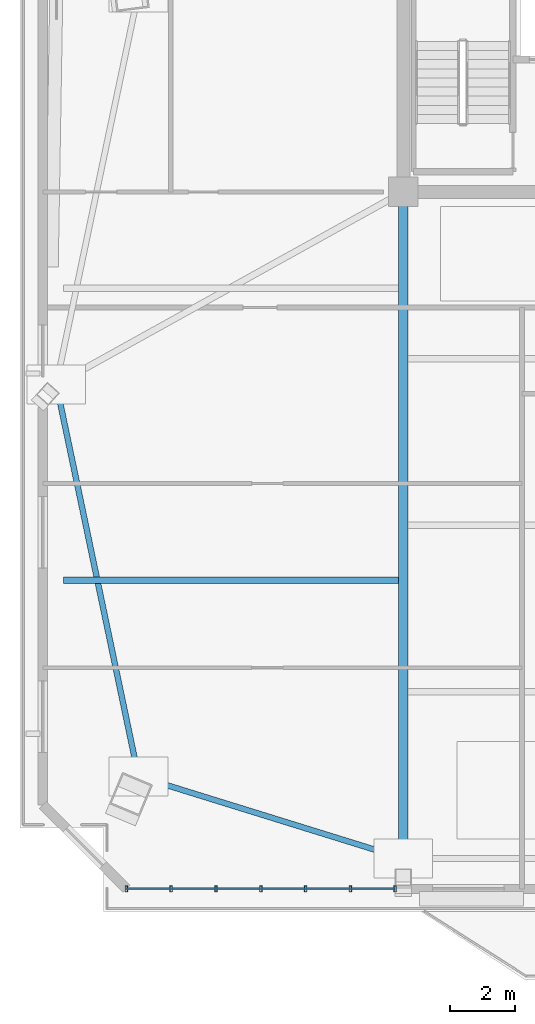
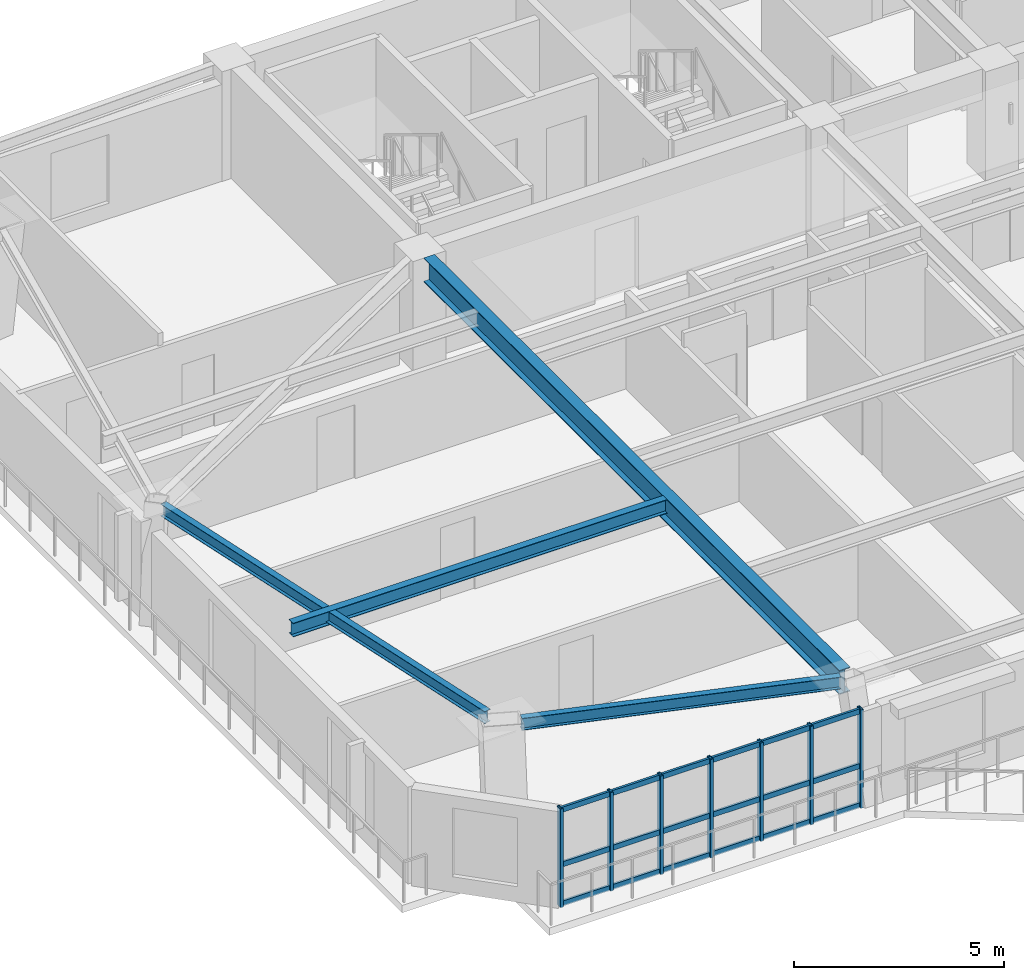
# One storey, part 2 of 18: 10 members, 4 beams, 1 element without a shape of its own.
"""IFC4 building model written with IfcOpenShell, lengths in metres."""

from ifc_helpers import new_model, si_unit, direction, frame, origin, origin_2d, place, context, subcontext, project, spatial, hollow_rectangle, i_section, extrude, source, transform, mapped, material, layer, layer_set, material_profile, profile_set, type_object, element, aggregate, save


model = new_model("IFC4")

# Units and contexts
model_context = context("Model", 3, precision=1e-05, world=origin(), true_north=direction((0.0, 1.0)))
body_context = subcontext(model_context, "Body", "Model", "MODEL_VIEW")
ifc_project = project(units=[si_unit("LENGTHUNIT", "METRE"), si_unit("AREAUNIT", "SQUARE_METRE"), si_unit("VOLUMEUNIT", "CUBIC_METRE"), si_unit("PLANEANGLEUNIT", "RADIAN"), si_unit("MASSUNIT", "GRAM", prefix="KILO")], contexts=[model_context])

# Site, building, storey
site_placement = place(None, origin())
site = spatial("IfcSite", under=ifc_project, at=site_placement, CompositionType="ELEMENT")
building_placement = place(site_placement, origin())
building = spatial("IfcBuilding", under=site, at=building_placement, Name="Giltprow Tower", CompositionType="ELEMENT")
storey_placement = place(building_placement, frame((0.0, 0.0, 265.5)))
storey = spatial("IfcBuildingStorey", under=building, at=storey_placement, Name="L68", CompositionType="ELEMENT", Elevation=265.5)

# Beams
ifc_material_1 = material(Name="Structural steel Q355B", Category="steel")
ifc_material_profile_1 = material_profile(ifc_material_1, i_section(OverallWidth=0.175048828125, OverallDepth=0.35009765625, WebThickness=0.007080078125, FlangeThickness=0.010986328125, at=origin_2d()), Name="HN 350x175x7x11")
ifc_profile_set_1 = profile_set([ifc_material_profile_1], Name="Structural steel Q355B")
beam_type_1 = type_object("IfcBeamType", Name="BM-SPAN-HN350", PredefinedType="SPANDREL", material=ifc_profile_set_1)
shared_shape_1 = source(origin(), body_context, "Body", "SweptSolid", [
    extrude(i_section(OverallWidth=0.175048828125, OverallDepth=0.35009765625, WebThickness=0.007080078125, FlangeThickness=0.010986328125, at=origin_2d()), origin(), (0.0, 0.0, 1.0), 7.7958984375),
])
beam_1_placement = place(storey_placement, frame((12.179931640625, 19.35498046875, 3.010009765625), z_axis=(0.955128004765, -0.296193339751, 0.0), x_axis=(0.296193339751, 0.955128004765, 0.0)))
element("IfcBeam", 1, at=beam_1_placement, inside=storey, type_object=beam_type_1, Name="L68 Perimeter Spandrel Beam MC_SW-S1", PredefinedType="SPANDREL", context=body_context, shape_type="MappedRepresentation", body=[
    mapped(shared_shape_1, transform((0.0, 0.0, 0.0), x_axis=(1.0, 0.0, 0.0), y_axis=(0.0, 1.0, 0.0), z_axis=(0.0, 0.0, 1.0), scale=1.0)),
])
shared_shape_2 = source(origin(), body_context, "Body", "SweptSolid", [
    extrude(i_section(OverallWidth=0.175048828125, OverallDepth=0.35009765625, WebThickness=0.007080078125, FlangeThickness=0.010986328125, at=origin_2d()), origin(), (0.0, 0.0, 1.0), 11.580322265625),
])
beam_2_placement = place(storey_placement, frame((9.241943359375, 31.30810546875, 3.010009765625), z_axis=(0.205173152284, -0.978725690672, 0.0), x_axis=(0.978725690672, 0.205173152284, 0.0)))
element("IfcBeam", 2, at=beam_2_placement, inside=storey, type_object=beam_type_1, Name="L68 Perimeter Spandrel Beam W_MID-MC_SW", PredefinedType="SPANDREL", context=body_context, shape_type="MappedRepresentation", body=[
    mapped(shared_shape_2, transform((0.0, 0.0, 0.0), x_axis=(1.0, 0.0, 0.0), y_axis=(0.0, 1.0, 0.0), z_axis=(0.0, 0.0, 1.0), scale=1.0)),
])
ifc_material_profile_2 = material_profile(ifc_material_1, i_section(OverallWidth=0.300048828125, OverallDepth=0.699951171875, WebThickness=0.012939453125, FlangeThickness=0.02392578125, at=origin_2d()), Name="HN 700x300x13x24")
ifc_profile_set_2 = profile_set([ifc_material_profile_2], Name="Structural steel Q355B")
beam_type_2 = type_object("IfcBeamType", Name="BM-GIRD-HN700", PredefinedType="BEAM", material=ifc_profile_set_2)
shared_shape_3 = source(origin(), body_context, "Body", "SweptSolid", [
    extrude(i_section(OverallWidth=0.300048828125, OverallDepth=0.699951171875, WebThickness=0.012939453125, FlangeThickness=0.02392578125, at=origin_2d()), origin(), (0.0, 0.0, 1.0), 19.803955078125),
])
beam_3_placement = place(storey_placement, frame((19.85009765625, 17.2109375, 2.8349609375), z_axis=(0.0, 1.0, 0.0), x_axis=(-1.0, 0.0, 0.0)))
element("IfcBeam", 3, at=beam_3_placement, inside=storey, type_object=beam_type_2, Name="L68 Primary Lease Girder S1", PredefinedType="BEAM", context=body_context, shape_type="MappedRepresentation", body=[
    mapped(shared_shape_3, transform((0.0, 0.0, 0.0), x_axis=(1.0, 0.0, 0.0), y_axis=(0.0, 1.0, 0.0), z_axis=(0.0, 0.0, 1.0), scale=1.0)),
])
ifc_material_profile_3 = material_profile(ifc_material_1, i_section(OverallWidth=0.199951171875, OverallDepth=0.39990234375, WebThickness=0.008056640625, FlangeThickness=0.012939453125, at=origin_2d()), Name="HN 400x200x8x13")
ifc_profile_set_3 = profile_set([ifc_material_profile_3], Name="Structural steel Q355B")
beam_type_3 = type_object("IfcBeamType", Name="BM-JOIST-HN400", PredefinedType="JOIST", material=ifc_profile_set_3)
shared_shape_4 = source(origin(), body_context, "Body", "SweptSolid", [
    extrude(i_section(OverallWidth=0.199951171875, OverallDepth=0.39990234375, WebThickness=0.008056640625, FlangeThickness=0.012939453125, at=origin_2d()), origin(), (0.0, 0.0, 1.0), 10.291015625),
])
beam_4_placement = place(storey_placement, frame((9.4140625, 25.51806640625, 2.985107421875), z_axis=(1.0, 0.0, 0.0), x_axis=(0.0, 1.0, 0.0)))
element("IfcBeam", 4, at=beam_4_placement, inside=storey, type_object=beam_type_3, Name="L68 West Wing Floor Joist 1", PredefinedType="JOIST", context=body_context, shape_type="MappedRepresentation", body=[
    mapped(shared_shape_4, transform((0.0, 0.0, 0.0), x_axis=(1.0, 0.0, 0.0), y_axis=(0.0, 1.0, 0.0), z_axis=(0.0, 0.0, 1.0), scale=1.0)),
])

# Curtain wall, members
ifc_material_2 = material(Name="Anodized bronze", Category="metal")
ifc_layer = layer(ifc_material_2, 0.179931640625, Name="Anodized bronze")
ifc_layer_set = layer_set([ifc_layer], Name="Anodized bronze")
curtain_wall_type = type_object("IfcCurtainWallType", Name="CW-RES-SKY", PredefinedType="NOTDEFINED", material=ifc_layer_set)
curtain_wall_placement = place(storey_placement, origin())
curtain_wall = element("IfcCurtainWall", 5, at=curtain_wall_placement, inside=storey, type_object=curtain_wall_type, Name="L68 South Recessed Curtain Wall 1", PredefinedType="NOTDEFINED")
ifc_material_profile_4 = material_profile(ifc_material_2, hollow_rectangle(XDim=0.074951171875, YDim=0.179931640625, WallThickness=0.008056640625, at=origin_2d()), Name="RHS 180x75x8")
ifc_profile_set_4 = profile_set([ifc_material_profile_4], Name="Anodized bronze")
member_type_1 = type_object("IfcMemberType", Name="CW-MULLION-180x75", PredefinedType="MULLION", material=ifc_profile_set_4)
shared_shape_5 = source(origin(), body_context, "Body", "SweptSolid", [
    extrude(hollow_rectangle(XDim=0.074951171875, YDim=0.179931640625, WallThickness=0.008056640625, at=origin_2d()), origin(), (0.0, 0.0, 1.0), 2.8701171875),
])
member_1_placement = place(storey_placement, frame((11.347900390625, 16.044921875, -0.02001953125), z_axis=(0.0, 0.0, 1.0), x_axis=(1.0, 0.0, 0.0)))
member_1 = element("IfcMember", 6, at=member_1_placement, type_object=member_type_1, Name="L68 South Recessed Curtain Wall 1 Mullion 1", PredefinedType="MULLION", context=body_context, shape_type="MappedRepresentation", body=[
    mapped(shared_shape_5, transform((0.0, 0.0, 0.0), x_axis=(1.0, 0.0, 0.0), y_axis=(0.0, 1.0, 0.0), z_axis=(0.0, 0.0, 1.0), scale=1.0)),
])
member_2_placement = place(storey_placement, frame((12.722900390625, 16.044921875, -0.02001953125), z_axis=(0.0, 0.0, 1.0), x_axis=(1.0, 0.0, 0.0)))
member_2 = element("IfcMember", 7, at=member_2_placement, type_object=member_type_1, Name="L68 South Recessed Curtain Wall 1 Mullion 2", PredefinedType="MULLION", context=body_context, shape_type="MappedRepresentation", body=[
    mapped(shared_shape_5, transform((0.0, 0.0, 0.0), x_axis=(1.0, 0.0, 0.0), y_axis=(0.0, 1.0, 0.0), z_axis=(0.0, 0.0, 1.0), scale=1.0)),
])
member_3_placement = place(storey_placement, frame((14.09912109375, 16.044921875, -0.02001953125), z_axis=(0.0, 0.0, 1.0), x_axis=(1.0, 0.0, 0.0)))
member_3 = element("IfcMember", 8, at=member_3_placement, type_object=member_type_1, Name="L68 South Recessed Curtain Wall 1 Mullion 3", PredefinedType="MULLION", context=body_context, shape_type="MappedRepresentation", body=[
    mapped(shared_shape_5, transform((0.0, 0.0, 0.0), x_axis=(1.0, 0.0, 0.0), y_axis=(0.0, 1.0, 0.0), z_axis=(0.0, 0.0, 1.0), scale=1.0)),
])
member_4_placement = place(storey_placement, frame((15.47412109375, 16.044921875, -0.02001953125), z_axis=(0.0, 0.0, 1.0), x_axis=(1.0, 0.0, 0.0)))
member_4 = element("IfcMember", 9, at=member_4_placement, type_object=member_type_1, Name="L68 South Recessed Curtain Wall 1 Mullion 4", PredefinedType="MULLION", context=body_context, shape_type="MappedRepresentation", body=[
    mapped(shared_shape_5, transform((0.0, 0.0, 0.0), x_axis=(1.0, 0.0, 0.0), y_axis=(0.0, 1.0, 0.0), z_axis=(0.0, 0.0, 1.0), scale=1.0)),
])
member_5_placement = place(storey_placement, frame((16.84912109375, 16.044921875, -0.02001953125), z_axis=(0.0, 0.0, 1.0), x_axis=(1.0, 0.0, 0.0)))
member_5 = element("IfcMember", 10, at=member_5_placement, type_object=member_type_1, Name="L68 South Recessed Curtain Wall 1 Mullion 5", PredefinedType="MULLION", context=body_context, shape_type="MappedRepresentation", body=[
    mapped(shared_shape_5, transform((0.0, 0.0, 0.0), x_axis=(1.0, 0.0, 0.0), y_axis=(0.0, 1.0, 0.0), z_axis=(0.0, 0.0, 1.0), scale=1.0)),
])
member_6_placement = place(storey_placement, frame((18.22509765625, 16.044921875, -0.02001953125), z_axis=(0.0, 0.0, 1.0), x_axis=(1.0, 0.0, 0.0)))
member_6 = element("IfcMember", 11, at=member_6_placement, type_object=member_type_1, Name="L68 South Recessed Curtain Wall 1 Mullion 6", PredefinedType="MULLION", context=body_context, shape_type="MappedRepresentation", body=[
    mapped(shared_shape_5, transform((0.0, 0.0, 0.0), x_axis=(1.0, 0.0, 0.0), y_axis=(0.0, 1.0, 0.0), z_axis=(0.0, 0.0, 1.0), scale=1.0)),
])
member_7_placement = place(storey_placement, frame((19.60009765625, 16.044921875, -0.02001953125), z_axis=(0.0, 0.0, 1.0), x_axis=(1.0, 0.0, 0.0)))
member_7 = element("IfcMember", 12, at=member_7_placement, type_object=member_type_1, Name="L68 South Recessed Curtain Wall 1 Mullion 7", PredefinedType="MULLION", context=body_context, shape_type="MappedRepresentation", body=[
    mapped(shared_shape_5, transform((0.0, 0.0, 0.0), x_axis=(1.0, 0.0, 0.0), y_axis=(0.0, 1.0, 0.0), z_axis=(0.0, 0.0, 1.0), scale=1.0)),
])
ifc_material_profile_5 = material_profile(ifc_material_2, hollow_rectangle(XDim=0.06494140625, YDim=0.14990234375, WallThickness=0.006103515625, at=origin_2d()), Name="RHS 150x65x6")
ifc_profile_set_5 = profile_set([ifc_material_profile_5], Name="Anodized bronze")
member_type_2 = type_object("IfcMemberType", Name="CW-TRANSOM-150x65", PredefinedType="USERDEFINED", material=ifc_profile_set_5)
shared_shape_6 = source(origin(), body_context, "Body", "SweptSolid", [
    extrude(hollow_rectangle(XDim=0.06494140625, YDim=0.14990234375, WallThickness=0.006103515625, at=origin_2d()), origin(), (0.0, 0.0, 1.0), 8.252197265625),
])
member_8_placement = place(storey_placement, frame((11.347900390625, 16.044921875, 0.0400390625), z_axis=(1.0, 0.0, 0.0), x_axis=(0.0, 1.0, 0.0)))
member_8 = element("IfcMember", 13, at=member_8_placement, type_object=member_type_2, Name="L68 South Recessed Curtain Wall 1 Transom 1", ObjectType="TRANSOM", PredefinedType="USERDEFINED", context=body_context, shape_type="MappedRepresentation", body=[
    mapped(shared_shape_6, transform((0.0, 0.0, 0.0), x_axis=(1.0, 0.0, 0.0), y_axis=(0.0, 1.0, 0.0), z_axis=(0.0, 0.0, 1.0), scale=1.0)),
])
member_9_placement = place(storey_placement, frame((11.347900390625, 16.044921875, 1.181884765625), z_axis=(1.0, 0.0, 0.0), x_axis=(0.0, 1.0, 0.0)))
member_9 = element("IfcMember", 14, at=member_9_placement, type_object=member_type_2, Name="L68 South Recessed Curtain Wall 1 Transom 2", ObjectType="TRANSOM", PredefinedType="USERDEFINED", context=body_context, shape_type="MappedRepresentation", body=[
    mapped(shared_shape_6, transform((0.0, 0.0, 0.0), x_axis=(1.0, 0.0, 0.0), y_axis=(0.0, 1.0, 0.0), z_axis=(0.0, 0.0, 1.0), scale=1.0)),
])
member_10_placement = place(storey_placement, frame((11.347900390625, 16.044921875, 2.77490234375), z_axis=(1.0, 0.0, 0.0), x_axis=(0.0, 1.0, 0.0)))
member_10 = element("IfcMember", 15, at=member_10_placement, type_object=member_type_2, Name="L68 South Recessed Curtain Wall 1 Transom 3", ObjectType="TRANSOM", PredefinedType="USERDEFINED", context=body_context, shape_type="MappedRepresentation", body=[
    mapped(shared_shape_6, transform((0.0, 0.0, 0.0), x_axis=(1.0, 0.0, 0.0), y_axis=(0.0, 1.0, 0.0), z_axis=(0.0, 0.0, 1.0), scale=1.0)),
])
aggregate(curtain_wall, [member_1, member_2, member_3, member_4, member_5, member_6, member_7, member_8, member_9, member_10])

save(model, "model.ifc")
